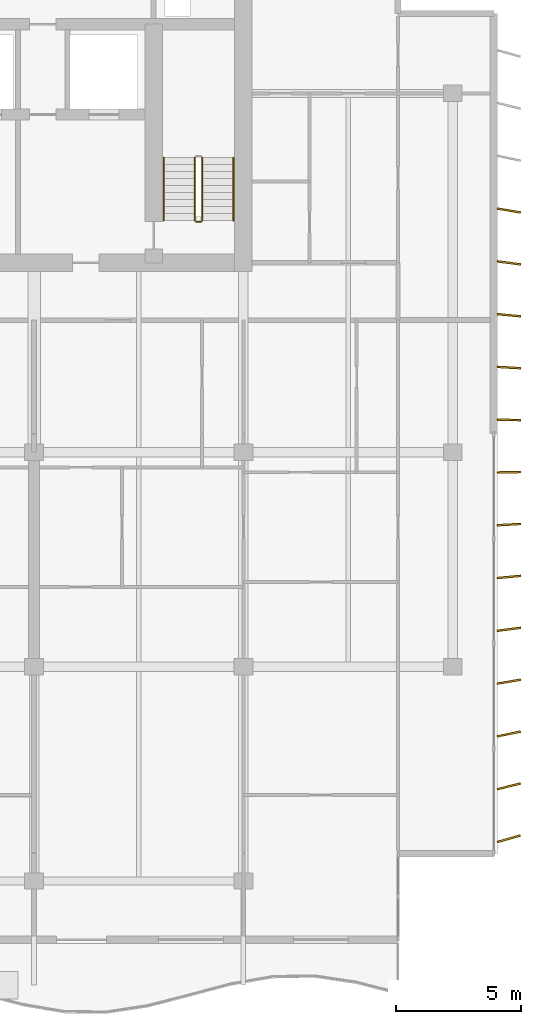
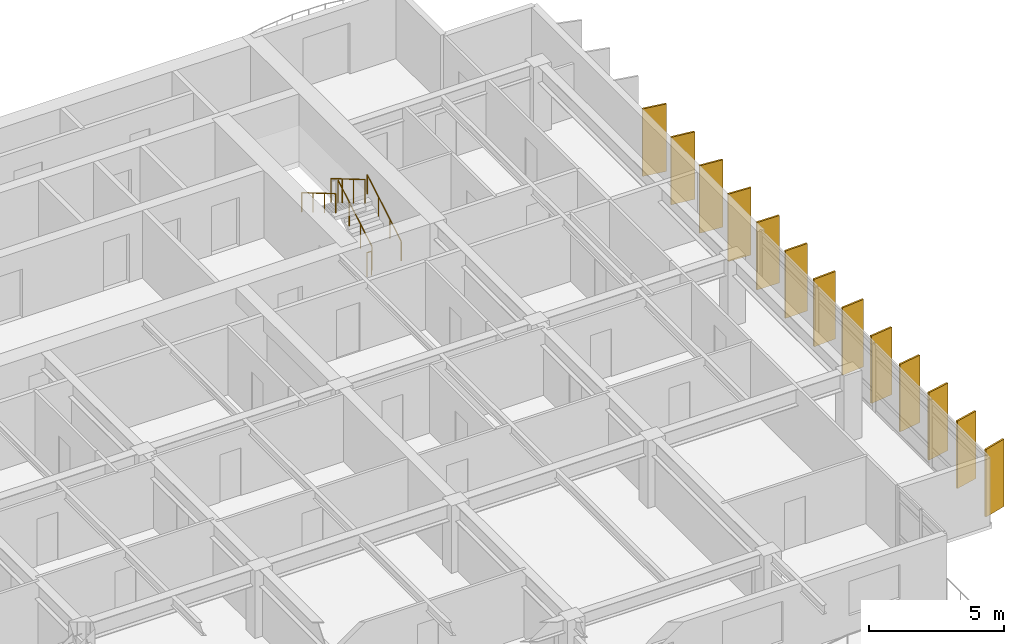
# One storey, part 14 of 16: 13 shading devices, 5 railings.
"""IFC4 building model written with IfcOpenShell, lengths in metres."""

from ifc_helpers import new_model, si_unit, direction, frame, origin, origin_2d, place, context, subcontext, project, spatial, rectangle, circle, extrude, material, material_profile, profile_set, type_object, element, save


model = new_model("IFC4")

# Units and contexts
model_context = context("Model", 3, precision=1e-05, world=origin(), true_north=direction((0.0, 1.0)))
body_context = subcontext(model_context, "Body", "Model", "MODEL_VIEW")
ifc_project = project(units=[si_unit("LENGTHUNIT", "METRE"), si_unit("AREAUNIT", "SQUARE_METRE"), si_unit("VOLUMEUNIT", "CUBIC_METRE"), si_unit("PLANEANGLEUNIT", "RADIAN"), si_unit("MASSUNIT", "GRAM", prefix="KILO")], contexts=[model_context])

# Site, building, storey
site_placement = place(None, origin())
site = spatial("IfcSite", under=ifc_project, at=site_placement, CompositionType="ELEMENT")
building_placement = place(site_placement, origin())
building = spatial("IfcBuilding", under=site, at=building_placement, Name="Caelmar Bay Residences", CompositionType="ELEMENT")
storey_placement = place(building_placement, frame((0.0, 0.0, 252.89990234375)))
storey = spatial("IfcBuildingStorey", under=building, at=storey_placement, Name="L71", CompositionType="ELEMENT", Elevation=252.89990234375)

# Railings
ifc_material_1 = material(Name="Painted galvanized steel stair guard 1100 mm", Category="steel")
railing_type_1 = type_object("IfcRailingType", Name="RL-GRD-1100", PredefinedType="GUARDRAIL", material=ifc_material_1)
railing_1_placement = place(storey_placement, frame((57.85009765625, 38.699951171875, 0.1650390625)))
element("IfcRailing", 1, at=railing_1_placement, inside=storey, type_object=railing_type_1, Name="L71 ST2 stair guard 1", PredefinedType="GUARDRAIL", context=body_context, shape_type="SweptSolid", body=[
    extrude(circle(Radius=0.02392578125, at=origin_2d()), frame((0.0, 0.0, 1.076171875), z_axis=(0.0, 0.86152411907, 0.507716645641), x_axis=(-1.0, 0.0, 0.0)), (0.0, 0.0, 1.0), 2.925048828125),
    extrude(circle(Radius=0.02099609375, at=origin_2d()), origin(), (0.0, 0.0, 1.0), 1.052001953125),
    extrude(circle(Radius=0.02099609375, at=origin_2d()), frame((0.0, 0.840087890625, 0.4951171875)), (0.0, 0.0, 1.0), 1.052001953125),
    extrude(circle(Radius=0.02099609375, at=origin_2d()), frame((0.0, 1.679931640625, 0.989990234375)), (0.0, 0.0, 1.0), 1.052001953125),
    extrude(circle(Radius=0.02099609375, at=origin_2d()), frame((0.0, 2.52001953125, 1.485107421875)), (0.0, 0.0, 1.0), 1.052001953125),
])
railing_2_placement = place(storey_placement, frame((57.550048828125, 41.219970703125, 1.815185546875)))
element("IfcRailing", 2, at=railing_2_placement, inside=storey, type_object=railing_type_1, Name="L71 ST2 stair guard 3", PredefinedType="GUARDRAIL", context=body_context, shape_type="SweptSolid", body=[
    extrude(circle(Radius=0.02392578125, at=origin_2d()), frame((0.0, 0.0, 1.076171875), z_axis=(0.0, -0.861560626758, 0.507654692109), x_axis=(1.0, 0.0, 0.0)), (0.0, 0.0, 1.0), 2.925048828125),
    extrude(circle(Radius=0.02099609375, at=origin_2d()), origin(), (0.0, 0.0, 1.0), 1.052001953125),
    extrude(circle(Radius=0.02099609375, at=origin_2d()), frame((0.0, -0.840087890625, 0.494873046875)), (0.0, 0.0, 1.0), 1.052001953125),
    extrude(circle(Radius=0.02099609375, at=origin_2d()), frame((0.0, -1.679931640625, 0.989990234375)), (0.0, 0.0, 1.0), 1.052001953125),
    extrude(circle(Radius=0.02099609375, at=origin_2d()), frame((0.0, -2.52001953125, 1.48486328125)), (0.0, 0.0, 1.0), 1.052001953125),
])
railing_3_placement = place(storey_placement, frame((57.800048828125, 38.64990234375, 0.0)))
element("IfcRailing", 3, at=railing_3_placement, inside=storey, type_object=railing_type_1, Name="L71 ST2 stair guard 4", PredefinedType="GUARDRAIL", context=body_context, shape_type="SweptSolid", body=[
    extrude(circle(Radius=0.02392578125, at=origin_2d()), frame((0.0, 0.0, 1.076171875), z_axis=(-1.0, 0.0, 0.0), x_axis=(0.0, -1.0, 0.0)), (0.0, 0.0, 1.0), 0.199951171875),
    extrude(circle(Radius=0.02099609375, at=origin_2d()), origin(), (0.0, 0.0, 1.0), 1.052001953125),
    extrude(circle(Radius=0.02099609375, at=origin_2d()), frame((-0.199951171875, 0.0, 0.0)), (0.0, 0.0, 1.0), 1.052001953125),
])
ifc_material_2 = material(Name="Brushed bronze stainless-steel tubular handrail 900 mm", Category="steel")
railing_type_2 = type_object("IfcRailingType", Name="RL-HND-900", PredefinedType="HANDRAIL", material=ifc_material_2)
railing_4_placement = place(storey_placement, frame((59.10009765625, 38.699951171875, 0.1650390625)))
element("IfcRailing", 4, at=railing_4_placement, inside=storey, type_object=railing_type_2, Name="L71 ST2 stair handrail 1", PredefinedType="HANDRAIL", context=body_context, shape_type="SweptSolid", body=[
    extrude(circle(Radius=0.02392578125, at=origin_2d()), frame((0.0, 0.0, 0.8759765625), z_axis=(0.0, 0.86152411907, 0.507716645641), x_axis=(-1.0, 0.0, 0.0)), (0.0, 0.0, 1.0), 2.925048828125),
    extrude(circle(Radius=0.02099609375, at=origin_2d()), origin(), (0.0, 0.0, 1.0), 0.851806640625),
    extrude(circle(Radius=0.02099609375, at=origin_2d()), frame((0.0, 0.840087890625, 0.4951171875)), (0.0, 0.0, 1.0), 0.851806640625),
    extrude(circle(Radius=0.02099609375, at=origin_2d()), frame((0.0, 1.679931640625, 0.989990234375)), (0.0, 0.0, 1.0), 0.851806640625),
    extrude(circle(Radius=0.02099609375, at=origin_2d()), frame((0.0, 2.52001953125, 1.485107421875)), (0.0, 0.0, 1.0), 0.851806640625),
])
railing_5_placement = place(storey_placement, frame((56.300048828125, 41.219970703125, 1.815185546875)))
element("IfcRailing", 5, at=railing_5_placement, inside=storey, type_object=railing_type_2, Name="L71 ST2 stair handrail 2", PredefinedType="HANDRAIL", context=body_context, shape_type="SweptSolid", body=[
    extrude(circle(Radius=0.02392578125, at=origin_2d()), frame((0.0, 0.0, 0.8759765625), z_axis=(0.0, -0.861560626758, 0.507654692109), x_axis=(1.0, 0.0, 0.0)), (0.0, 0.0, 1.0), 2.925048828125),
    extrude(circle(Radius=0.02099609375, at=origin_2d()), origin(), (0.0, 0.0, 1.0), 0.851806640625),
    extrude(circle(Radius=0.02099609375, at=origin_2d()), frame((0.0, -0.840087890625, 0.494873046875)), (0.0, 0.0, 1.0), 0.851806640625),
    extrude(circle(Radius=0.02099609375, at=origin_2d()), frame((0.0, -1.679931640625, 0.989990234375)), (0.0, 0.0, 1.0), 0.851806640625),
    extrude(circle(Radius=0.02099609375, at=origin_2d()), frame((0.0, -2.52001953125, 1.48486328125)), (0.0, 0.0, 1.0), 0.851806640625),
])

# Shading devices
ifc_material_3 = material(Name="Anodised architectural bronze aluminium 6063-T6", Category="aluminium")
ifc_material_profile = material_profile(ifc_material_3, rectangle(XDim=0.074951171875, YDim=0.949951171875, at=origin_2d()), Name="BRONZE-FIN-75X950")
ifc_profile_set = profile_set([ifc_material_profile], Name="Anodised architectural bronze aluminium 6063-T6")
shading_device_type = type_object("IfcShadingDeviceType", Name="SHD-FIN-950", PredefinedType="USERDEFINED", material=ifc_profile_set)
for number, where, z_axis, x_axis, name in (
    (6, (70.14990234375, 13.89990234375, 0.0), (0.0, 0.0, 1.0), (-0.275637355817, 0.961261695938, 0.0), "L71 East Bronze Solar Fin 1"),
    (7, (70.14990234375, 16.0, 0.0), (0.0, 0.0, 1.0), (-0.239719743609, 0.970842131618, 0.0), "L71 East Bronze Solar Fin 2"),
    (8, (70.14990234375, 18.10009765625, 0.0), (0.0, 0.0, 1.0), (-0.2032999874, 0.979116497217, 0.0), "L71 East Bronze Solar Fin 3"),
    (9, (70.14990234375, 20.199951171875, 0.0), (0.0, 0.0, 1.0), (-0.166768746716, 0.985996037071, 0.0), "L71 East Bronze Solar Fin 4"),
    (10, (70.14990234375, 22.300048828125, 0.0), (0.0, 0.0, 1.0), (-0.130007055036, 0.99151306882, 0.0), "L71 East Bronze Solar Fin 5"),
    (11, (70.14990234375, 24.39990234375, 0.0), (0.0, 0.0, 1.0), (-0.092891934994, 0.995676196569, 0.0), "L71 East Bronze Solar Fin 6"),
    (12, (70.14990234375, 26.5, 0.0), (0.0, 0.0, 1.0), (-0.055821504993, 0.998440764182, 0.0), "L71 East Bronze Solar Fin 7"),
    (13, (70.14990234375, 28.60009765625, 0.0), (0.0, 0.0, 1.0), (-0.018673937509, 0.999825626826, 0.0), "L71 East Bronze Solar Fin 8"),
    (14, (70.14990234375, 30.699951171875, 0.0), (0.0, 0.0, 1.0), (0.018673937509, 0.999825626826, 0.0), "L71 East Bronze Solar Fin 9"),
    (15, (70.14990234375, 32.800048828125, 0.0), (0.0, 0.0, 1.0), (0.055821504993, 0.998440764182, 0.0), "L71 East Bronze Solar Fin 10"),
    (16, (70.14990234375, 34.89990234375, 0.0), (0.0, 0.0, 1.0), (0.092891934994, 0.995676196569, 0.0), "L71 East Bronze Solar Fin 11"),
    (17, (70.14990234375, 37.0, 0.0), (0.0, 0.0, 1.0), (0.130007055036, 0.99151306882, 0.0), "L71 East Bronze Solar Fin 12"),
    (18, (70.14990234375, 39.10009765625, 0.0), (0.0, 0.0, 1.0), (0.166768746716, 0.985996037071, 0.0), "L71 East Bronze Solar Fin 13"),
):
    element("IfcShadingDevice", number, at=place(storey_placement, frame(where, z_axis=z_axis, x_axis=x_axis)), inside=storey, type_object=shading_device_type, Name=name, ObjectType="FIN", PredefinedType="USERDEFINED", context=body_context, shape_type="SweptSolid", body=[
        extrude(rectangle(XDim=0.074951171875, YDim=0.949951171875, at=origin_2d()), origin(), (0.0, 0.0, 1.0), 3.050048828125),
    ])

save(model, "model.ifc")
